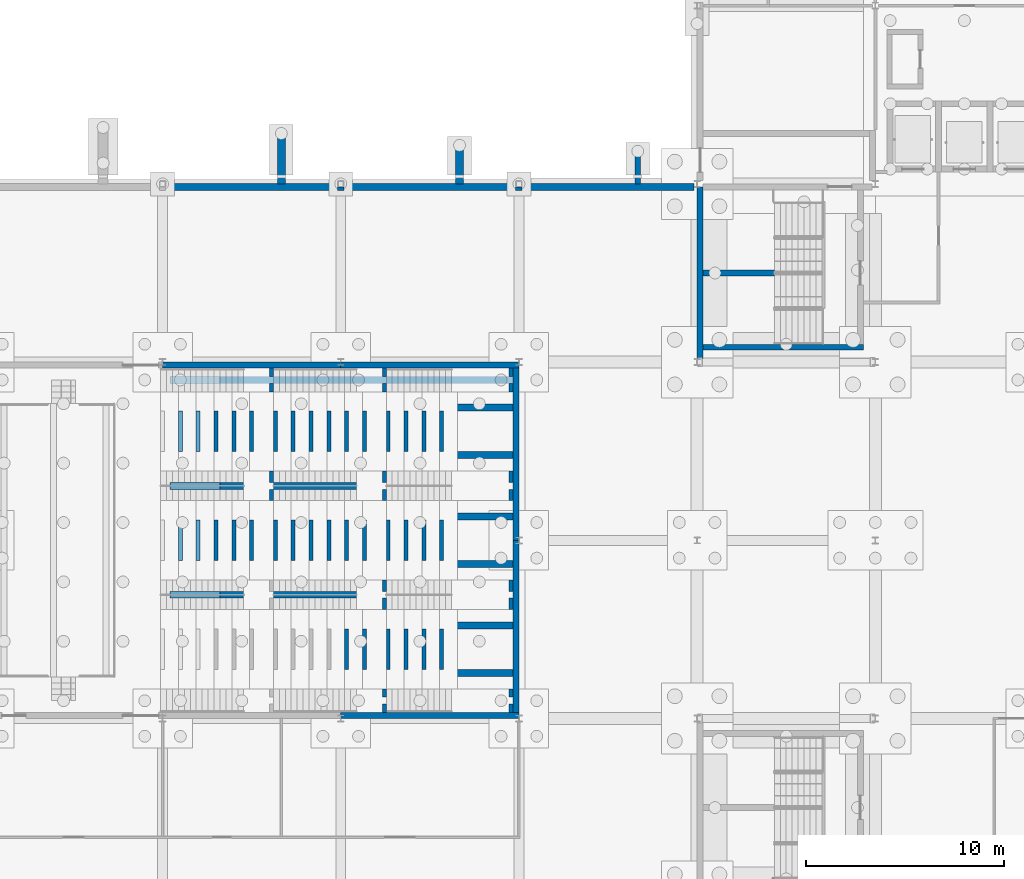
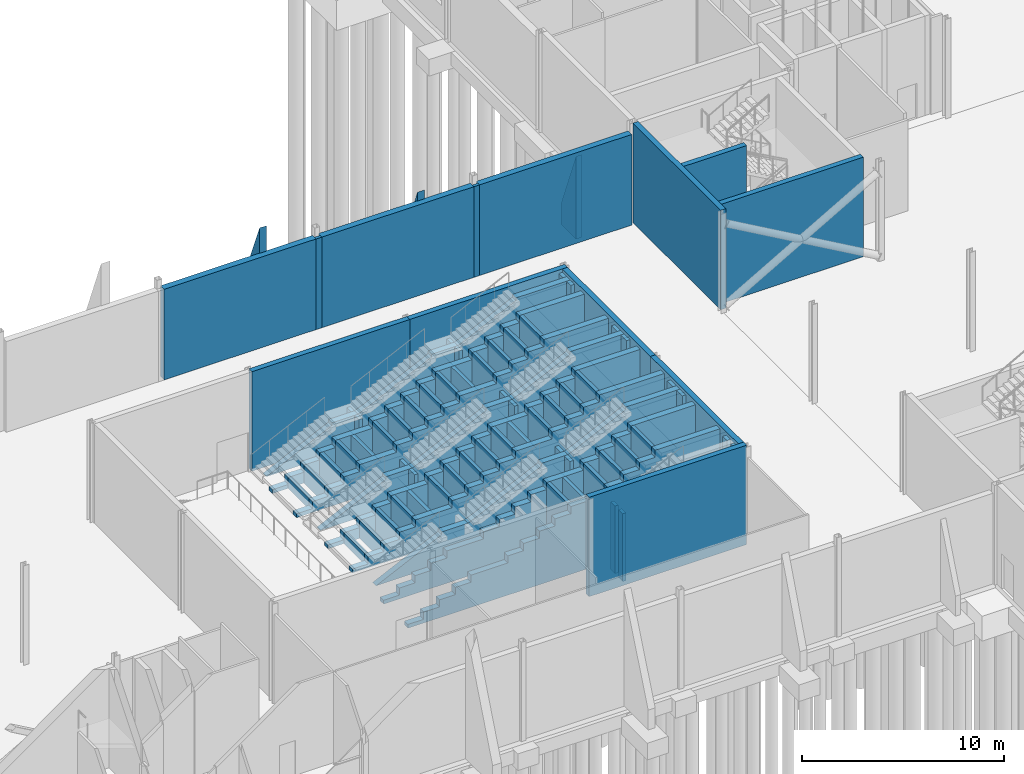
# One storey, part 106 of 139: 81 walls.
"""IFC4 building model written with IfcOpenShell, lengths in metres."""

from ifc_helpers import new_model, si_unit, direction, frame, frame_2d, origin, place, context, subcontext, project, spatial, polyline, rectangle, outline, extrude, material, layer, layer_set, type_object, element, save


model = new_model("IFC4")

# Units and contexts
model_context = context("Model", 3, precision=1e-05, world=origin(), true_north=direction((0.0, 1.0)))
body_context = subcontext(model_context, "Body", "Model", "MODEL_VIEW")
ifc_project = project(units=[si_unit("LENGTHUNIT", "METRE"), si_unit("AREAUNIT", "SQUARE_METRE"), si_unit("VOLUMEUNIT", "CUBIC_METRE"), si_unit("PLANEANGLEUNIT", "RADIAN"), si_unit("MASSUNIT", "GRAM", prefix="KILO")], contexts=[model_context])

# Site, building, storey
site_placement = place(None, origin())
site = spatial("IfcSite", under=ifc_project, at=site_placement, CompositionType="ELEMENT")
building_placement = place(site_placement, origin())
building = spatial("IfcBuilding", under=site, at=building_placement, Name="Shorebreak Coast Museum", CompositionType="ELEMENT")
storey_placement = place(building_placement, origin())
storey = spatial("IfcBuildingStorey", under=building, at=storey_placement, Name="L00", CompositionType="ELEMENT", Elevation=0.0)

# Walls
ifc_material_1 = material(Name="Concrete N50 (50 MPa)", Category="concrete")
ifc_layer_1 = layer(ifc_material_1, 0.175048828125)
ifc_layer_set_1 = layer_set([ifc_layer_1], Name="Concrete N50 (50 MPa)")
wall_type_1 = type_object("IfcWallType", Name="Column closure panel 175", PredefinedType="SOLIDWALL", material=ifc_layer_set_1)
for number, where, z_axis, x_axis, name in (
    (1, (35.839111328125, 89.762451171875, 0.0), (0.0, 0.0, 1.0), (1.0, 0.0, 0.0), "Column closure panel L00 N 5L"),
    (2, (44.839111328125, 89.762451171875, 0.0), (0.0, 0.0, 1.0), (1.0, 0.0, 0.0), "Column closure panel L00 N 6L"),
):
    element("IfcWall", number, at=place(storey_placement, frame(where, z_axis=z_axis, x_axis=x_axis)), inside=storey, type_object=wall_type_1, Name=name, PredefinedType="SOLIDWALL", context=body_context, shape_type="SweptSolid", body=[
        extrude(rectangle(XDim=0.32177734375, YDim=0.175048828125, at=frame_2d((0.160888671875, 0.0))), origin(), (0.0, 0.0, 1.0), 5.469482421875),
    ])
ifc_material_2 = material(Name="Concrete N50 (50 MPa)", Category="concrete")
ifc_layer_2 = layer(ifc_material_2, 0.35009765625)
ifc_layer_set_2 = layer_set([ifc_layer_2], Name="Concrete N50 (50 MPa)")
wall_type_2 = type_object("IfcWallType", Name="Precast plinth panel 350", PredefinedType="SOLIDWALL", material=ifc_layer_set_2)
for number, where, z_axis, x_axis, name in (
    (3, (27.160888671875, 89.85009765625, 0.0), (0.0, 0.0, 1.0), (1.0, 0.0, 0.0), "External wall L00 N 4L"),
    (4, (36.160888671875, 89.85009765625, 0.0), (0.0, 0.0, 1.0), (1.0, 0.0, 0.0), "External wall L00 N 5L"),
):
    element("IfcWall", number, at=place(storey_placement, frame(where, z_axis=z_axis, x_axis=x_axis)), inside=storey, type_object=wall_type_2, Name=name, PredefinedType="SOLIDWALL", context=body_context, shape_type="SweptSolid", body=[
        extrude(rectangle(XDim=8.67822265625, YDim=0.35009765625, at=frame_2d((4.339111328125, 0.0))), origin(), (0.0, 0.0, 1.0), 5.469482421875),
    ])
wall_1_placement = place(storey_placement, frame((45.160888671875, 89.85009765625, 0.0), z_axis=(0.0, 0.0, 1.0), x_axis=(1.0, 0.0, 0.0)))
element("IfcWall", 5, at=wall_1_placement, inside=storey, type_object=wall_type_2, Name="External wall L00 N 6L", PredefinedType="SOLIDWALL", context=body_context, shape_type="SweptSolid", body=[
    extrude(rectangle(XDim=8.68359375, YDim=0.35009765625, at=frame_2d((4.341796875, 0.0))), origin(), (0.0, 0.0, 1.0), 5.469482421875),
])
ifc_material_3 = material(Name="Concrete N50 (50 MPa)", Category="concrete")
ifc_layer_3 = layer(ifc_material_3, 0.300048828125)
ifc_layer_set_3 = layer_set([ifc_layer_3], Name="Concrete N50 (50 MPa)")
wall_type_3 = type_object("IfcWallType", Name="RC wall 300", PredefinedType="SHEAR", material=ifc_layer_set_3)
wall_2_placement = place(storey_placement, frame((54.300048828125, 81.75, 0.0), z_axis=(0.0, 0.0, 1.0), x_axis=(1.0, 0.0, 0.0)))
element("IfcWall", 6, at=wall_2_placement, inside=storey, type_object=wall_type_3, Name="Stair core wall ST03 L00 S", PredefinedType="SHEAR", context=body_context, shape_type="SweptSolid", body=[
    extrude(rectangle(XDim=8.099853515625, YDim=0.300048828125, at=frame_2d((4.0498046875, 0.0))), origin(), (0.0, 0.0, 1.0), 6.0),
])
wall_3_placement = place(storey_placement, frame((54.14990234375, 81.160400390625, 0.0), z_axis=(0.0, 0.0, 1.0), x_axis=(0.0, 1.0, 0.0)))
element("IfcWall", 7, at=wall_3_placement, inside=storey, type_object=wall_type_3, Name="Stair core wall ST03 L00 W", PredefinedType="SHEAR", context=body_context, shape_type="SweptSolid", body=[
    extrude(rectangle(XDim=8.676025390625, YDim=0.300048828125, at=frame_2d((4.337890625, 0.0))), origin(), (0.0, 0.0, 1.0), 6.0),
])
wall_4_placement = place(storey_placement, frame((57.89990234375, 85.5, 0.0), z_axis=(0.0, 0.0, 1.0), x_axis=(-1.0, 0.0, 0.0)))
element("IfcWall", 8, at=wall_4_placement, inside=storey, type_object=wall_type_3, Name="Stair spine wall ST03 L00", PredefinedType="SHEAR", context=body_context, shape_type="SweptSolid", body=[
    extrude(rectangle(XDim=3.599853515625, YDim=0.300048828125, at=frame_2d((1.7998046875, 0.0))), origin(), (0.0, 0.0, 1.0), 6.0),
])
for number, where, z_axis, x_axis, name in (
    (9, (36.0, 63.14990234375, 0.0), (0.0, 0.0, 1.0), (1.0, 0.0, 0.0), "Auditorium wall L00 S3"),
    (10, (27.0, 80.85009765625, 0.0), (0.0, 0.0, 1.0), (1.0, 0.0, 0.0), "Auditorium wall L00 N2"),
    (11, (36.0, 80.85009765625, 0.0), (0.0, 0.0, 1.0), (1.0, 0.0, 0.0), "Auditorium wall L00 N3"),
):
    element("IfcWall", number, at=place(storey_placement, frame(where, z_axis=z_axis, x_axis=x_axis)), inside=storey, type_object=wall_type_3, Name=name, PredefinedType="SHEAR", context=body_context, shape_type="SweptSolid", body=[
        extrude(rectangle(XDim=9.0, YDim=0.300048828125, at=frame_2d((4.5, 0.0))), origin(), (0.0, 0.0, 1.0), 6.0),
    ])
for number, where, z_axis, x_axis, name in (
    (12, (44.85009765625, 63.300048828125, 0.0), (0.0, 0.0, 1.0), (0.0, 1.0, 0.0), "Auditorium wall L00 E1"),
    (13, (44.85009765625, 72.0, 0.0), (0.0, 0.0, 1.0), (0.0, 1.0, 0.0), "Auditorium wall L00 E2"),
):
    element("IfcWall", number, at=place(storey_placement, frame(where, z_axis=z_axis, x_axis=x_axis)), inside=storey, type_object=wall_type_3, Name=name, PredefinedType="SHEAR", context=body_context, shape_type="SweptSolid", body=[
        extrude(rectangle(XDim=8.699951171875, YDim=0.300048828125, at=frame_2d((4.35009765625, 0.0))), origin(), (0.0, 0.0, 1.0), 6.0),
    ])
ifc_material_4 = material(Name="Concrete N50 (50 MPa)", Category="concrete")
ifc_layer_4 = layer(ifc_material_4, 0.300048828125)
ifc_layer_set_4 = layer_set([ifc_layer_4], Name="Concrete N50 (50 MPa)")
wall_type_4 = type_object("IfcWallType", Name="Raked fin 300", PredefinedType="SOLIDWALL", material=ifc_layer_set_4)
wall_5_placement = place(storey_placement, frame((51.0, 90.0, 0.0), z_axis=(0.0, 0.0, 1.0), x_axis=(0.0, 1.0, 0.0)))
element("IfcWall", 14, at=wall_5_placement, inside=storey, type_object=wall_type_4, Name="Raked fin WN13", PredefinedType="SOLIDWALL", context=body_context, shape_type="SweptSolid", body=[
    extrude(outline(polyline([(0.0, 0.0), (1.5, 0.0), (1.5, 1.199951171875), (0.0, 5.0), (0.0, 0.0)])), frame((0.0, 0.14990234375, 0.0), z_axis=(0.0, -1.0, 0.0), x_axis=(1.0, 0.0, 0.0)), (0.0, 0.0, 1.0), 0.300048828125),
])
ifc_material_5 = material(Name="Concrete N50 (50 MPa)", Category="concrete")
ifc_layer_5 = layer(ifc_material_5, 0.39990234375)
ifc_layer_set_5 = layer_set([ifc_layer_5], Name="Concrete N50 (50 MPa)")
wall_type_5 = type_object("IfcWallType", Name="Raked fin 400", PredefinedType="SOLIDWALL", material=ifc_layer_set_5)
wall_6_placement = place(storey_placement, frame((33.0, 90.0, 0.0), z_axis=(0.0, 0.0, 1.0), x_axis=(0.0, 1.0, 0.0)))
element("IfcWall", 15, at=wall_6_placement, inside=storey, type_object=wall_type_5, Name="Raked fin WN11", PredefinedType="SOLIDWALL", context=body_context, shape_type="SweptSolid", body=[
    extrude(outline(polyline([(0.0, 0.0), (2.39990234375, 0.0), (2.39990234375, 1.199951171875), (0.0, 7.0), (0.0, 0.0)])), frame((0.0, 0.199951171875, 0.0), z_axis=(0.0, -1.0, 0.0), x_axis=(1.0, 0.0, 0.0)), (0.0, 0.0, 1.0), 0.39990234375),
])
wall_7_placement = place(storey_placement, frame((42.0, 90.0, 0.0), z_axis=(0.0, 0.0, 1.0), x_axis=(0.0, 1.0, 0.0)))
element("IfcWall", 16, at=wall_7_placement, inside=storey, type_object=wall_type_5, Name="Raked fin WN12", PredefinedType="SOLIDWALL", context=body_context, shape_type="SweptSolid", body=[
    extrude(outline(polyline([(0.0, 0.0), (1.800048828125, 0.0), (1.800048828125, 1.199951171875), (0.0, 6.0), (0.0, 0.0)])), frame((0.0, 0.199951171875, 0.0), z_axis=(0.0, -1.0, 0.0), x_axis=(1.0, 0.0, 0.0)), (0.0, 0.0, 1.0), 0.39990234375),
])
ifc_material_6 = material(Name="Concrete N50 (50 MPa)", Category="concrete")
ifc_layer_6 = layer(ifc_material_6, 0.35009765625)
ifc_layer_set_6 = layer_set([ifc_layer_6], Name="Concrete N50 (50 MPa)")
wall_type_6 = type_object("IfcWallType", Name="Raker wall 350", PredefinedType="SHEAR", material=ifc_layer_set_6)
for number, where, z_axis, x_axis, name in (
    (17, (26.89990234375, 65.300048828125, 0.0), (0.0, 0.0, 1.0), (1.0, 0.0, 0.0), "Raker wall 6530"),
    (18, (26.89990234375, 67.699951171875, 0.0), (0.0, 0.0, 1.0), (1.0, 0.0, 0.0), "Raker wall 6770"),
):
    element("IfcWall", number, at=place(storey_placement, frame(where, z_axis=z_axis, x_axis=x_axis)), inside=storey, type_object=wall_type_6, Name=name, PredefinedType="SHEAR", context=body_context, shape_type="SweptSolid", body=[
        extrude(outline(polyline([(0.0, 0.0), (17.800048828125, 0.0), (17.800048828125, 5.800048828125), (15.0, 5.800048828125), (14.10009765625, 5.800048828125), (14.10009765625, 5.371337890625), (13.199951171875, 5.371337890625), (13.199951171875, 4.94287109375), (12.300048828125, 4.94287109375), (12.300048828125, 4.514404296875), (11.39990234375, 4.514404296875), (11.39990234375, 4.085693359375), (10.199951171875, 4.085693359375), (9.300048828125, 4.085693359375), (9.300048828125, 3.656982421875), (8.39990234375, 3.656982421875), (8.39990234375, 3.228515625), (7.5, 3.228515625), (7.5, 2.800048828125), (6.60009765625, 2.800048828125), (6.60009765625, 2.371337890625), (5.699951171875, 2.371337890625), (5.699951171875, 1.94287109375), (4.5, 1.94287109375), (3.60009765625, 1.94287109375), (3.60009765625, 1.514404296875), (2.699951171875, 1.514404296875), (2.699951171875, 1.085693359375), (1.800048828125, 1.085693359375), (1.800048828125, 0.656982421875), (0.89990234375, 0.656982421875), (0.89990234375, 0.228515625), (0.0, 0.228515625), (0.0, 0.0)])), frame((0.0, 0.175048828125, 0.0), z_axis=(0.0, -1.0, 0.0), x_axis=(1.0, 0.0, 0.0)), (0.0, 0.0, 1.0), 0.35009765625),
    ])
wall_8_placement = place(storey_placement, frame((27.365234375, 69.25, 0.0), z_axis=(0.0, 0.0, 1.0), x_axis=(1.0, 0.0, 0.0)))
element("IfcWall", 19, at=wall_8_placement, inside=storey, type_object=wall_type_6, Name="Raker wall 6925", PredefinedType="SHEAR", context=body_context, shape_type="SweptSolid", body=[
    extrude(outline(polyline([(0.0, 0.0), (17.334716796875, 0.0), (17.334716796875, 5.800048828125), (14.23486328125, 5.800048828125), (14.23486328125, 5.635498046875), (11.39990234375, 4.28564453125), (10.934814453125, 4.085693359375), (9.434814453125, 4.085693359375), (9.434814453125, 3.92138671875), (5.699951171875, 2.142822265625), (5.23486328125, 1.94287109375), (3.73486328125, 1.94287109375), (3.73486328125, 1.778564453125), (0.0, 0.0), (0.0, 0.0)])), frame((0.0, 0.175048828125, 0.0), z_axis=(0.0, -1.0, 0.0), x_axis=(1.0, 0.0, 0.0)), (0.0, 0.0, 1.0), 0.35009765625),
])
for number, where, z_axis, x_axis, name in (
    (20, (26.89990234375, 70.800048828125, 0.0), (0.0, 0.0, 1.0), (1.0, 0.0, 0.0), "Raker wall 7080"),
    (21, (26.89990234375, 73.199951171875, 0.0), (0.0, 0.0, 1.0), (1.0, 0.0, 0.0), "Raker wall 7320"),
):
    element("IfcWall", number, at=place(storey_placement, frame(where, z_axis=z_axis, x_axis=x_axis)), inside=storey, type_object=wall_type_6, Name=name, PredefinedType="SHEAR", context=body_context, shape_type="SweptSolid", body=[
        extrude(outline(polyline([(0.0, 0.0), (17.800048828125, 0.0), (17.800048828125, 5.800048828125), (15.0, 5.800048828125), (14.10009765625, 5.800048828125), (14.10009765625, 5.371337890625), (13.199951171875, 5.371337890625), (13.199951171875, 4.94287109375), (12.300048828125, 4.94287109375), (12.300048828125, 4.514404296875), (11.39990234375, 4.514404296875), (11.39990234375, 4.085693359375), (10.199951171875, 4.085693359375), (9.300048828125, 4.085693359375), (9.300048828125, 3.656982421875), (8.39990234375, 3.656982421875), (8.39990234375, 3.228515625), (7.5, 3.228515625), (7.5, 2.800048828125), (6.60009765625, 2.800048828125), (6.60009765625, 2.371337890625), (5.699951171875, 2.371337890625), (5.699951171875, 1.94287109375), (4.5, 1.94287109375), (3.60009765625, 1.94287109375), (3.60009765625, 1.514404296875), (2.699951171875, 1.514404296875), (2.699951171875, 1.085693359375), (1.800048828125, 1.085693359375), (1.800048828125, 0.656982421875), (0.89990234375, 0.656982421875), (0.89990234375, 0.228515625), (0.0, 0.228515625), (0.0, 0.0)])), frame((0.0, 0.175048828125, 0.0), z_axis=(0.0, -1.0, 0.0), x_axis=(1.0, 0.0, 0.0)), (0.0, 0.0, 1.0), 0.35009765625),
    ])
wall_9_placement = place(storey_placement, frame((27.365234375, 74.75, 0.0), z_axis=(0.0, 0.0, 1.0), x_axis=(1.0, 0.0, 0.0)))
element("IfcWall", 22, at=wall_9_placement, inside=storey, type_object=wall_type_6, Name="Raker wall 7475", PredefinedType="SHEAR", context=body_context, shape_type="SweptSolid", body=[
    extrude(outline(polyline([(0.0, 0.0), (17.334716796875, 0.0), (17.334716796875, 5.800048828125), (14.23486328125, 5.800048828125), (14.23486328125, 5.635498046875), (11.39990234375, 4.28564453125), (10.934814453125, 4.085693359375), (9.434814453125, 4.085693359375), (9.434814453125, 3.92138671875), (5.699951171875, 2.142822265625), (5.23486328125, 1.94287109375), (3.73486328125, 1.94287109375), (3.73486328125, 1.778564453125), (0.0, 0.0), (0.0, 0.0)])), frame((0.0, 0.175048828125, 0.0), z_axis=(0.0, -1.0, 0.0), x_axis=(1.0, 0.0, 0.0)), (0.0, 0.0, 1.0), 0.35009765625),
])
for number, where, z_axis, x_axis, name in (
    (23, (26.89990234375, 76.300048828125, 0.0), (0.0, 0.0, 1.0), (1.0, 0.0, 0.0), "Raker wall 7630"),
    (24, (26.89990234375, 78.699951171875, 0.0), (0.0, 0.0, 1.0), (1.0, 0.0, 0.0), "Raker wall 7870"),
):
    element("IfcWall", number, at=place(storey_placement, frame(where, z_axis=z_axis, x_axis=x_axis)), inside=storey, type_object=wall_type_6, Name=name, PredefinedType="SHEAR", context=body_context, shape_type="SweptSolid", body=[
        extrude(outline(polyline([(0.0, 0.0), (17.800048828125, 0.0), (17.800048828125, 5.800048828125), (15.0, 5.800048828125), (14.10009765625, 5.800048828125), (14.10009765625, 5.371337890625), (13.199951171875, 5.371337890625), (13.199951171875, 4.94287109375), (12.300048828125, 4.94287109375), (12.300048828125, 4.514404296875), (11.39990234375, 4.514404296875), (11.39990234375, 4.085693359375), (10.199951171875, 4.085693359375), (9.300048828125, 4.085693359375), (9.300048828125, 3.656982421875), (8.39990234375, 3.656982421875), (8.39990234375, 3.228515625), (7.5, 3.228515625), (7.5, 2.800048828125), (6.60009765625, 2.800048828125), (6.60009765625, 2.371337890625), (5.699951171875, 2.371337890625), (5.699951171875, 1.94287109375), (4.5, 1.94287109375), (3.60009765625, 1.94287109375), (3.60009765625, 1.514404296875), (2.699951171875, 1.514404296875), (2.699951171875, 1.085693359375), (1.800048828125, 1.085693359375), (1.800048828125, 0.656982421875), (0.89990234375, 0.656982421875), (0.89990234375, 0.228515625), (0.0, 0.228515625), (0.0, 0.0)])), frame((0.0, 0.175048828125, 0.0), z_axis=(0.0, -1.0, 0.0), x_axis=(1.0, 0.0, 0.0)), (0.0, 0.0, 1.0), 0.35009765625),
    ])
wall_10_placement = place(storey_placement, frame((27.365234375, 80.10009765625, 0.0), z_axis=(0.0, 0.0, 1.0), x_axis=(1.0, 0.0, 0.0)))
element("IfcWall", 25, at=wall_10_placement, inside=storey, type_object=wall_type_6, Name="Raker wall 8010", PredefinedType="SHEAR", context=body_context, shape_type="SweptSolid", body=[
    extrude(outline(polyline([(0.0, 0.0), (17.334716796875, 0.0), (17.334716796875, 5.800048828125), (14.23486328125, 5.800048828125), (14.23486328125, 5.635498046875), (11.39990234375, 4.28564453125), (10.934814453125, 4.085693359375), (9.434814453125, 4.085693359375), (9.434814453125, 3.92138671875), (5.699951171875, 2.142822265625), (5.23486328125, 1.94287109375), (3.73486328125, 1.94287109375), (3.73486328125, 1.778564453125), (0.0, 0.0), (0.0, 0.0)])), frame((0.0, 0.175048828125, 0.0), z_axis=(0.0, -1.0, 0.0), x_axis=(1.0, 0.0, 0.0)), (0.0, 0.0, 1.0), 0.35009765625),
])
ifc_material_7 = material(Name="Concrete N50 (50 MPa)", Category="concrete")
ifc_layer_7 = layer(ifc_material_7, 0.199951171875)
ifc_layer_set_7 = layer_set([ifc_layer_7], Name="Concrete N50 (50 MPa)")
wall_type_7 = type_object("IfcWallType", Name="Tier support wall 200", PredefinedType="SHEAR", material=ifc_layer_set_7)
for number, where, z_axis, x_axis, name in (
    (26, (27.89990234375, 70.97509765625, 0.0), (0.0, 0.0, 1.0), (0.0, 1.0, 0.0), "Tier support wall 2 B"),
    (27, (27.89990234375, 76.47509765625, 0.0), (0.0, 0.0, 1.0), (0.0, 1.0, 0.0), "Tier support wall 2 C"),
):
    element("IfcWall", number, at=place(storey_placement, frame(where, z_axis=z_axis, x_axis=x_axis)), inside=storey, type_object=wall_type_7, Name=name, PredefinedType="SHEAR", context=body_context, shape_type="SweptSolid", body=[
        extrude(rectangle(XDim=2.0498046875, YDim=0.199951171875, at=frame_2d((1.02490234375, 0.0))), origin(), (0.0, 0.0, 1.0), 0.656982421875),
    ])
for number, where, z_axis, x_axis, name in (
    (28, (28.800048828125, 70.97509765625, 0.0), (0.0, 0.0, 1.0), (0.0, 1.0, 0.0), "Tier support wall 3 B"),
    (29, (28.800048828125, 76.47509765625, 0.0), (0.0, 0.0, 1.0), (0.0, 1.0, 0.0), "Tier support wall 3 C"),
):
    element("IfcWall", number, at=place(storey_placement, frame(where, z_axis=z_axis, x_axis=x_axis)), inside=storey, type_object=wall_type_7, Name=name, PredefinedType="SHEAR", context=body_context, shape_type="SweptSolid", body=[
        extrude(rectangle(XDim=2.0498046875, YDim=0.199951171875, at=frame_2d((1.02490234375, 0.0))), origin(), (0.0, 0.0, 1.0), 1.085693359375),
    ])
for number, where, z_axis, x_axis, name in (
    (30, (29.699951171875, 70.97509765625, 0.0), (0.0, 0.0, 1.0), (0.0, 1.0, 0.0), "Tier support wall 4 B"),
    (31, (29.699951171875, 76.47509765625, 0.0), (0.0, 0.0, 1.0), (0.0, 1.0, 0.0), "Tier support wall 4 C"),
):
    element("IfcWall", number, at=place(storey_placement, frame(where, z_axis=z_axis, x_axis=x_axis)), inside=storey, type_object=wall_type_7, Name=name, PredefinedType="SHEAR", context=body_context, shape_type="SweptSolid", body=[
        extrude(rectangle(XDim=2.0498046875, YDim=0.199951171875, at=frame_2d((1.02490234375, 0.0))), origin(), (0.0, 0.0, 1.0), 1.514404296875),
    ])
for number, where, z_axis, x_axis, name in (
    (32, (30.60009765625, 70.97509765625, 0.0), (0.0, 0.0, 1.0), (0.0, 1.0, 0.0), "Tier support wall 5 B"),
    (33, (30.60009765625, 76.47509765625, 0.0), (0.0, 0.0, 1.0), (0.0, 1.0, 0.0), "Tier support wall 5 C"),
):
    element("IfcWall", number, at=place(storey_placement, frame(where, z_axis=z_axis, x_axis=x_axis)), inside=storey, type_object=wall_type_7, Name=name, PredefinedType="SHEAR", context=body_context, shape_type="SweptSolid", body=[
        extrude(rectangle(XDim=2.0498046875, YDim=0.199951171875, at=frame_2d((1.02490234375, 0.0))), origin(), (0.0, 0.0, 1.0), 1.94287109375),
    ])
for number, where, z_axis, x_axis, name in (
    (34, (32.699951171875, 70.97509765625, 0.0), (0.0, 0.0, 1.0), (0.0, 1.0, 0.0), "Tier support wall 6 B"),
    (35, (32.699951171875, 76.47509765625, 0.0), (0.0, 0.0, 1.0), (0.0, 1.0, 0.0), "Tier support wall 6 C"),
):
    element("IfcWall", number, at=place(storey_placement, frame(where, z_axis=z_axis, x_axis=x_axis)), inside=storey, type_object=wall_type_7, Name=name, PredefinedType="SHEAR", context=body_context, shape_type="SweptSolid", body=[
        extrude(rectangle(XDim=2.0498046875, YDim=0.199951171875, at=frame_2d((1.02490234375, 0.0))), origin(), (0.0, 0.0, 1.0), 2.371337890625),
    ])
for number, where, z_axis, x_axis, name in (
    (36, (33.60009765625, 70.97509765625, 0.0), (0.0, 0.0, 1.0), (0.0, 1.0, 0.0), "Tier support wall 7 B"),
    (37, (33.60009765625, 76.47509765625, 0.0), (0.0, 0.0, 1.0), (0.0, 1.0, 0.0), "Tier support wall 7 C"),
):
    element("IfcWall", number, at=place(storey_placement, frame(where, z_axis=z_axis, x_axis=x_axis)), inside=storey, type_object=wall_type_7, Name=name, PredefinedType="SHEAR", context=body_context, shape_type="SweptSolid", body=[
        extrude(rectangle(XDim=2.0498046875, YDim=0.199951171875, at=frame_2d((1.02490234375, 0.0))), origin(), (0.0, 0.0, 1.0), 2.800048828125),
    ])
for number, where, z_axis, x_axis, name in (
    (38, (34.5, 70.97509765625, 0.0), (0.0, 0.0, 1.0), (0.0, 1.0, 0.0), "Tier support wall 8 B"),
    (39, (34.5, 76.47509765625, 0.0), (0.0, 0.0, 1.0), (0.0, 1.0, 0.0), "Tier support wall 8 C"),
):
    element("IfcWall", number, at=place(storey_placement, frame(where, z_axis=z_axis, x_axis=x_axis)), inside=storey, type_object=wall_type_7, Name=name, PredefinedType="SHEAR", context=body_context, shape_type="SweptSolid", body=[
        extrude(rectangle(XDim=2.0498046875, YDim=0.199951171875, at=frame_2d((1.02490234375, 0.0))), origin(), (0.0, 0.0, 1.0), 3.228515625),
    ])
for number, where, z_axis, x_axis, name in (
    (40, (35.39990234375, 70.97509765625, 0.0), (0.0, 0.0, 1.0), (0.0, 1.0, 0.0), "Tier support wall 9 B"),
    (41, (35.39990234375, 76.47509765625, 0.0), (0.0, 0.0, 1.0), (0.0, 1.0, 0.0), "Tier support wall 9 C"),
):
    element("IfcWall", number, at=place(storey_placement, frame(where, z_axis=z_axis, x_axis=x_axis)), inside=storey, type_object=wall_type_7, Name=name, PredefinedType="SHEAR", context=body_context, shape_type="SweptSolid", body=[
        extrude(rectangle(XDim=2.0498046875, YDim=0.199951171875, at=frame_2d((1.02490234375, 0.0))), origin(), (0.0, 0.0, 1.0), 3.656982421875),
    ])
for number, where, z_axis, x_axis, name in (
    (42, (36.300048828125, 65.47509765625, 0.0), (0.0, 0.0, 1.0), (0.0, 1.0, 0.0), "Tier support wall 10 A"),
    (43, (36.300048828125, 70.97509765625, 0.0), (0.0, 0.0, 1.0), (0.0, 1.0, 0.0), "Tier support wall 10 B"),
    (44, (36.300048828125, 76.47509765625, 0.0), (0.0, 0.0, 1.0), (0.0, 1.0, 0.0), "Tier support wall 10 C"),
):
    element("IfcWall", number, at=place(storey_placement, frame(where, z_axis=z_axis, x_axis=x_axis)), inside=storey, type_object=wall_type_7, Name=name, PredefinedType="SHEAR", context=body_context, shape_type="SweptSolid", body=[
        extrude(rectangle(XDim=2.0498046875, YDim=0.199951171875, at=frame_2d((1.02490234375, 0.0))), origin(), (0.0, 0.0, 1.0), 4.085693359375),
    ])
for number, where, z_axis, x_axis, name in (
    (45, (38.39990234375, 65.47509765625, 0.0), (0.0, 0.0, 1.0), (0.0, 1.0, 0.0), "Tier support wall 11 A"),
    (46, (38.39990234375, 70.97509765625, 0.0), (0.0, 0.0, 1.0), (0.0, 1.0, 0.0), "Tier support wall 11 B"),
    (47, (38.39990234375, 76.47509765625, 0.0), (0.0, 0.0, 1.0), (0.0, 1.0, 0.0), "Tier support wall 11 C"),
):
    element("IfcWall", number, at=place(storey_placement, frame(where, z_axis=z_axis, x_axis=x_axis)), inside=storey, type_object=wall_type_7, Name=name, PredefinedType="SHEAR", context=body_context, shape_type="SweptSolid", body=[
        extrude(rectangle(XDim=2.0498046875, YDim=0.199951171875, at=frame_2d((1.02490234375, 0.0))), origin(), (0.0, 0.0, 1.0), 4.514404296875),
    ])
for number, where, z_axis, x_axis, name in (
    (48, (39.300048828125, 65.47509765625, 0.0), (0.0, 0.0, 1.0), (0.0, 1.0, 0.0), "Tier support wall 12 A"),
    (49, (39.300048828125, 70.97509765625, 0.0), (0.0, 0.0, 1.0), (0.0, 1.0, 0.0), "Tier support wall 12 B"),
    (50, (39.300048828125, 76.47509765625, 0.0), (0.0, 0.0, 1.0), (0.0, 1.0, 0.0), "Tier support wall 12 C"),
):
    element("IfcWall", number, at=place(storey_placement, frame(where, z_axis=z_axis, x_axis=x_axis)), inside=storey, type_object=wall_type_7, Name=name, PredefinedType="SHEAR", context=body_context, shape_type="SweptSolid", body=[
        extrude(rectangle(XDim=2.0498046875, YDim=0.199951171875, at=frame_2d((1.02490234375, 0.0))), origin(), (0.0, 0.0, 1.0), 4.94287109375),
    ])
for number, where, z_axis, x_axis, name in (
    (51, (40.199951171875, 65.47509765625, 0.0), (0.0, 0.0, 1.0), (0.0, 1.0, 0.0), "Tier support wall 13 A"),
    (52, (40.199951171875, 70.97509765625, 0.0), (0.0, 0.0, 1.0), (0.0, 1.0, 0.0), "Tier support wall 13 B"),
    (53, (40.199951171875, 76.47509765625, 0.0), (0.0, 0.0, 1.0), (0.0, 1.0, 0.0), "Tier support wall 13 C"),
):
    element("IfcWall", number, at=place(storey_placement, frame(where, z_axis=z_axis, x_axis=x_axis)), inside=storey, type_object=wall_type_7, Name=name, PredefinedType="SHEAR", context=body_context, shape_type="SweptSolid", body=[
        extrude(rectangle(XDim=2.0498046875, YDim=0.199951171875, at=frame_2d((1.02490234375, 0.0))), origin(), (0.0, 0.0, 1.0), 5.371337890625),
    ])
for number, where, z_axis, x_axis, name in (
    (54, (41.10009765625, 65.47509765625, 0.0), (0.0, 0.0, 1.0), (0.0, 1.0, 0.0), "Tier support wall 14 A"),
    (55, (41.10009765625, 70.97509765625, 0.0), (0.0, 0.0, 1.0), (0.0, 1.0, 0.0), "Tier support wall 14 B"),
    (56, (41.10009765625, 76.47509765625, 0.0), (0.0, 0.0, 1.0), (0.0, 1.0, 0.0), "Tier support wall 14 C"),
):
    element("IfcWall", number, at=place(storey_placement, frame(where, z_axis=z_axis, x_axis=x_axis)), inside=storey, type_object=wall_type_7, Name=name, PredefinedType="SHEAR", context=body_context, shape_type="SweptSolid", body=[
        extrude(rectangle(XDim=2.0498046875, YDim=0.199951171875, at=frame_2d((1.02490234375, 0.0))), origin(), (0.0, 0.0, 1.0), 5.800048828125),
    ])
for number, where, z_axis, x_axis, name in (
    (57, (31.5, 70.97509765625, 0.0), (0.0, 0.0, 1.0), (0.0, 1.0, 0.0), "Cross aisle support wall 1 B"),
    (58, (31.5, 76.47509765625, 0.0), (0.0, 0.0, 1.0), (0.0, 1.0, 0.0), "Cross aisle support wall 1 C"),
):
    element("IfcWall", number, at=place(storey_placement, frame(where, z_axis=z_axis, x_axis=x_axis)), inside=storey, type_object=wall_type_7, Name=name, PredefinedType="SHEAR", context=body_context, shape_type="SweptSolid", body=[
        extrude(rectangle(XDim=2.0498046875, YDim=0.199951171875, at=frame_2d((1.02490234375, 0.0))), origin(), (0.0, 0.0, 1.0), 1.94287109375),
    ])
for number, where, z_axis, x_axis, name in (
    (59, (37.199951171875, 65.47509765625, 0.0), (0.0, 0.0, 1.0), (0.0, 1.0, 0.0), "Cross aisle support wall 2 A"),
    (60, (37.199951171875, 70.97509765625, 0.0), (0.0, 0.0, 1.0), (0.0, 1.0, 0.0), "Cross aisle support wall 2 B"),
    (61, (37.199951171875, 76.47509765625, 0.0), (0.0, 0.0, 1.0), (0.0, 1.0, 0.0), "Cross aisle support wall 2 C"),
):
    element("IfcWall", number, at=place(storey_placement, frame(where, z_axis=z_axis, x_axis=x_axis)), inside=storey, type_object=wall_type_7, Name=name, PredefinedType="SHEAR", context=body_context, shape_type="SweptSolid", body=[
        extrude(rectangle(XDim=2.0498046875, YDim=0.199951171875, at=frame_2d((1.02490234375, 0.0))), origin(), (0.0, 0.0, 1.0), 4.085693359375),
    ])
for number, where, z_axis, x_axis, name in (
    (62, (38.199951171875, 63.300048828125, 0.0), (0.0, 0.0, 1.0), (0.0, 1.0, 0.0), "Aisle landing support wall 1 2 south"),
    (63, (38.199951171875, 64.074951171875, 0.0), (0.0, 0.0, 1.0), (0.0, 1.0, 0.0), "Aisle landing support wall 1 2 north"),
):
    element("IfcWall", number, at=place(storey_placement, frame(where, z_axis=z_axis, x_axis=x_axis)), inside=storey, type_object=wall_type_7, Name=name, PredefinedType="SHEAR", context=body_context, shape_type="SweptSolid", body=[
        extrude(rectangle(XDim=0.425048828125, YDim=0.199951171875, at=frame_2d((0.21240234375, 0.0))), origin(), (0.0, 0.0, 1.0), 4.085693359375),
    ])
for number, where, z_axis, x_axis, name in (
    (64, (44.60009765625, 63.300048828125, 0.0), (0.0, 0.0, 1.0), (0.0, 1.0, 0.0), "Aisle landing support wall 1 3 south"),
    (65, (44.60009765625, 64.074951171875, 0.0), (0.0, 0.0, 1.0), (0.0, 1.0, 0.0), "Aisle landing support wall 1 3 north"),
):
    element("IfcWall", number, at=place(storey_placement, frame(where, z_axis=z_axis, x_axis=x_axis)), inside=storey, type_object=wall_type_7, Name=name, PredefinedType="SHEAR", context=body_context, shape_type="SweptSolid", body=[
        extrude(rectangle(XDim=0.425048828125, YDim=0.199951171875, at=frame_2d((0.21240234375, 0.0))), origin(), (0.0, 0.0, 1.0), 5.800048828125),
    ])
for number, where, z_axis, x_axis, name in (
    (66, (38.199951171875, 68.5, 0.0), (0.0, 0.0, 1.0), (0.0, 1.0, 0.0), "Aisle landing support wall 2 2 south"),
    (67, (38.199951171875, 69.425048828125, 0.0), (0.0, 0.0, 1.0), (0.0, 1.0, 0.0), "Aisle landing support wall 2 2 north"),
):
    element("IfcWall", number, at=place(storey_placement, frame(where, z_axis=z_axis, x_axis=x_axis)), inside=storey, type_object=wall_type_7, Name=name, PredefinedType="SHEAR", context=body_context, shape_type="SweptSolid", body=[
        extrude(rectangle(XDim=0.574951171875, YDim=0.199951171875, at=frame_2d((0.28759765625, 0.0))), origin(), (0.0, 0.0, 1.0), 4.085693359375),
    ])
for number, where, z_axis, x_axis, name in (
    (68, (44.60009765625, 68.5, 0.0), (0.0, 0.0, 1.0), (0.0, 1.0, 0.0), "Aisle landing support wall 2 3 south"),
    (69, (44.60009765625, 69.425048828125, 0.0), (0.0, 0.0, 1.0), (0.0, 1.0, 0.0), "Aisle landing support wall 2 3 north"),
):
    element("IfcWall", number, at=place(storey_placement, frame(where, z_axis=z_axis, x_axis=x_axis)), inside=storey, type_object=wall_type_7, Name=name, PredefinedType="SHEAR", context=body_context, shape_type="SweptSolid", body=[
        extrude(rectangle(XDim=0.574951171875, YDim=0.199951171875, at=frame_2d((0.28759765625, 0.0))), origin(), (0.0, 0.0, 1.0), 5.800048828125),
    ])
for number, where, z_axis, x_axis, name in (
    (70, (32.5, 74.0, 0.0), (0.0, 0.0, 1.0), (0.0, 1.0, 0.0), "Aisle landing support wall 3 1 south"),
    (71, (32.5, 74.925048828125, 0.0), (0.0, 0.0, 1.0), (0.0, 1.0, 0.0), "Aisle landing support wall 3 1 north"),
):
    element("IfcWall", number, at=place(storey_placement, frame(where, z_axis=z_axis, x_axis=x_axis)), inside=storey, type_object=wall_type_7, Name=name, PredefinedType="SHEAR", context=body_context, shape_type="SweptSolid", body=[
        extrude(rectangle(XDim=0.574951171875, YDim=0.199951171875, at=frame_2d((0.28759765625, 0.0))), origin(), (0.0, 0.0, 1.0), 1.94287109375),
    ])
for number, where, z_axis, x_axis, name in (
    (72, (38.199951171875, 74.0, 0.0), (0.0, 0.0, 1.0), (0.0, 1.0, 0.0), "Aisle landing support wall 3 2 south"),
    (73, (38.199951171875, 74.925048828125, 0.0), (0.0, 0.0, 1.0), (0.0, 1.0, 0.0), "Aisle landing support wall 3 2 north"),
):
    element("IfcWall", number, at=place(storey_placement, frame(where, z_axis=z_axis, x_axis=x_axis)), inside=storey, type_object=wall_type_7, Name=name, PredefinedType="SHEAR", context=body_context, shape_type="SweptSolid", body=[
        extrude(rectangle(XDim=0.574951171875, YDim=0.199951171875, at=frame_2d((0.28759765625, 0.0))), origin(), (0.0, 0.0, 1.0), 4.085693359375),
    ])
for number, where, z_axis, x_axis, name in (
    (74, (44.60009765625, 74.0, 0.0), (0.0, 0.0, 1.0), (0.0, 1.0, 0.0), "Aisle landing support wall 3 3 south"),
    (75, (44.60009765625, 74.925048828125, 0.0), (0.0, 0.0, 1.0), (0.0, 1.0, 0.0), "Aisle landing support wall 3 3 north"),
):
    element("IfcWall", number, at=place(storey_placement, frame(where, z_axis=z_axis, x_axis=x_axis)), inside=storey, type_object=wall_type_7, Name=name, PredefinedType="SHEAR", context=body_context, shape_type="SweptSolid", body=[
        extrude(rectangle(XDim=0.574951171875, YDim=0.199951171875, at=frame_2d((0.28759765625, 0.0))), origin(), (0.0, 0.0, 1.0), 5.800048828125),
    ])
for number, where, z_axis, x_axis, name in (
    (76, (32.5, 79.5, 0.0), (0.0, 0.0, 1.0), (0.0, 1.0, 0.0), "Aisle landing support wall 4 1 south"),
    (77, (32.5, 80.27490234375, 0.0), (0.0, 0.0, 1.0), (0.0, 1.0, 0.0), "Aisle landing support wall 4 1 north"),
):
    element("IfcWall", number, at=place(storey_placement, frame(where, z_axis=z_axis, x_axis=x_axis)), inside=storey, type_object=wall_type_7, Name=name, PredefinedType="SHEAR", context=body_context, shape_type="SweptSolid", body=[
        extrude(rectangle(XDim=0.425048828125, YDim=0.199951171875, at=frame_2d((0.21240234375, 0.0))), origin(), (0.0, 0.0, 1.0), 1.94287109375),
    ])
for number, where, z_axis, x_axis, name in (
    (78, (38.199951171875, 79.5, 0.0), (0.0, 0.0, 1.0), (0.0, 1.0, 0.0), "Aisle landing support wall 4 2 south"),
    (79, (38.199951171875, 80.27490234375, 0.0), (0.0, 0.0, 1.0), (0.0, 1.0, 0.0), "Aisle landing support wall 4 2 north"),
):
    element("IfcWall", number, at=place(storey_placement, frame(where, z_axis=z_axis, x_axis=x_axis)), inside=storey, type_object=wall_type_7, Name=name, PredefinedType="SHEAR", context=body_context, shape_type="SweptSolid", body=[
        extrude(rectangle(XDim=0.425048828125, YDim=0.199951171875, at=frame_2d((0.21240234375, 0.0))), origin(), (0.0, 0.0, 1.0), 4.085693359375),
    ])
for number, where, z_axis, x_axis, name in (
    (80, (44.60009765625, 79.5, 0.0), (0.0, 0.0, 1.0), (0.0, 1.0, 0.0), "Aisle landing support wall 4 3 south"),
    (81, (44.60009765625, 80.27490234375, 0.0), (0.0, 0.0, 1.0), (0.0, 1.0, 0.0), "Aisle landing support wall 4 3 north"),
):
    element("IfcWall", number, at=place(storey_placement, frame(where, z_axis=z_axis, x_axis=x_axis)), inside=storey, type_object=wall_type_7, Name=name, PredefinedType="SHEAR", context=body_context, shape_type="SweptSolid", body=[
        extrude(rectangle(XDim=0.425048828125, YDim=0.199951171875, at=frame_2d((0.21240234375, 0.0))), origin(), (0.0, 0.0, 1.0), 5.800048828125),
    ])

save(model, "model.ifc")
